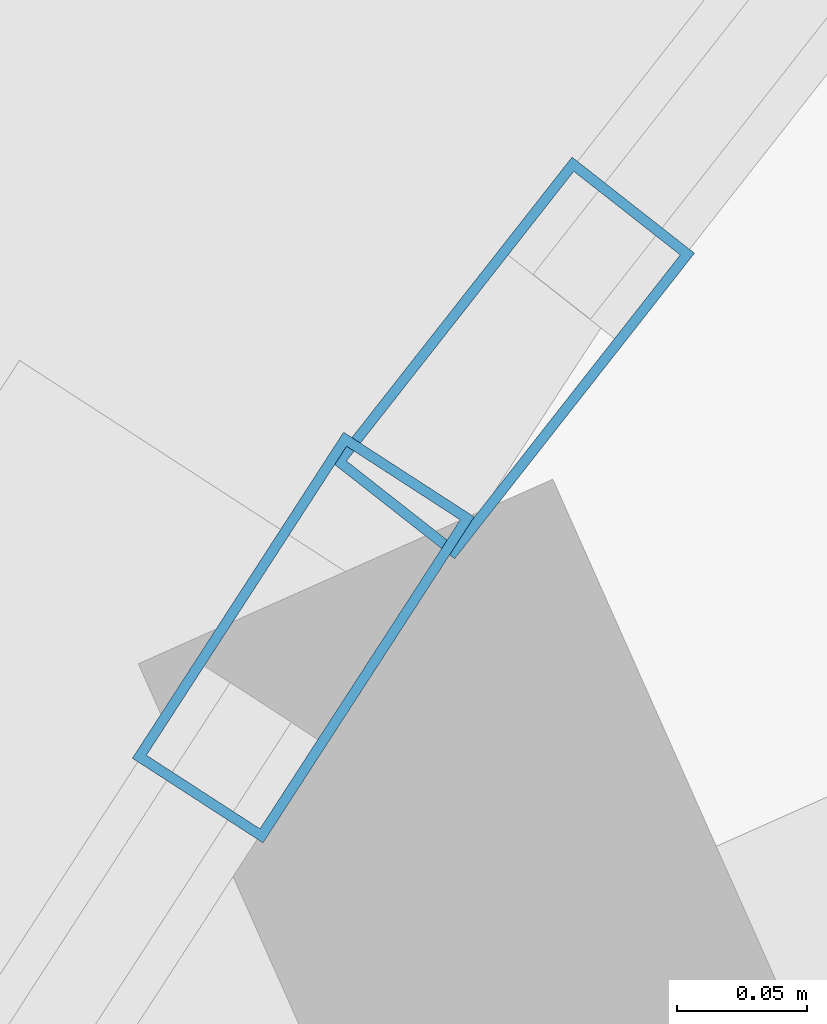
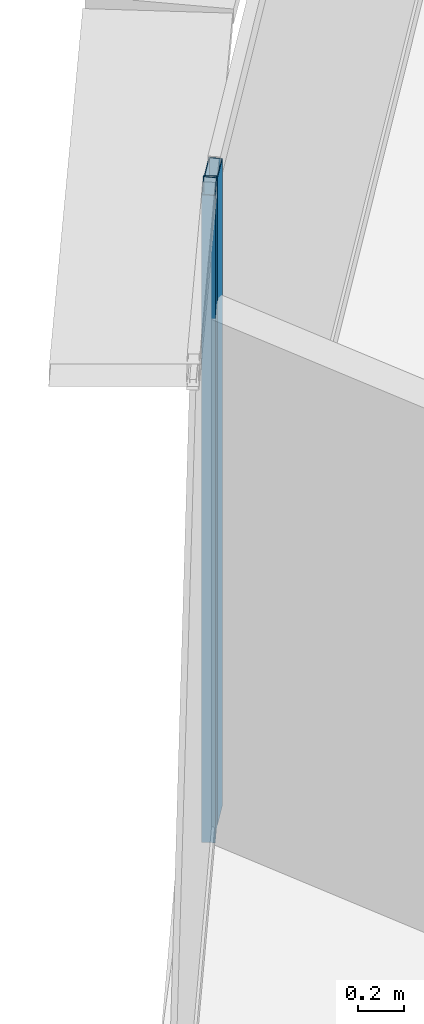
# One storey, part 18 of 42: 2 members, 2 elements without a shape of their own.
"""IFC4 building model written with IfcOpenShell, lengths in metres."""

from ifc_helpers import new_model, si_unit, direction, frame, origin, origin_2d, place, context, subcontext, project, spatial, hollow_rectangle, extrude, source, transform, mapped, material, layer, layer_set, material_profile, profile_set, type_object, element, aggregate, save


model = new_model("IFC4")

# Units and contexts
model_context = context("Model", 3, precision=1e-05, world=origin(), true_north=direction((0.0, 1.0)))
body_context = subcontext(model_context, "Body", "Model", "MODEL_VIEW")
ifc_project = project(units=[si_unit("LENGTHUNIT", "METRE"), si_unit("AREAUNIT", "SQUARE_METRE"), si_unit("VOLUMEUNIT", "CUBIC_METRE"), si_unit("PLANEANGLEUNIT", "RADIAN"), si_unit("MASSUNIT", "GRAM", prefix="KILO"), si_unit("THERMODYNAMICTEMPERATUREUNIT", "KELVIN"), si_unit("POWERUNIT", "WATT")], contexts=[model_context])

# Site, building, storey
site_placement = place(None, origin())
site = spatial("IfcSite", under=ifc_project, at=site_placement, CompositionType="ELEMENT")
building_placement = place(site_placement, origin())
building = spatial("IfcBuilding", under=site, at=building_placement, Name="Yunzhuo Pagoda Commons", CompositionType="ELEMENT")
storey_placement = place(building_placement, frame((0.0, 0.0, 133.510009765625)))
storey = spatial("IfcBuildingStorey", under=building, at=storey_placement, Name="L33", CompositionType="ELEMENT", Elevation=133.510009765625)

# Curtain wall, member
ifc_material = material(Name="Anodized aluminium 6063-T6", Category="aluminium")
ifc_layer = layer(ifc_material, 0.14990234375)
ifc_layer_set = layer_set([ifc_layer], Name="Anodized aluminium 6063-T6")
curtain_wall_type = type_object("IfcCurtainWallType", Name="CW-MID Mid-Zone Ribbon Curtain Wall", PredefinedType="NOTDEFINED", material=ifc_layer_set)
curtain_wall_1_placement = place(storey_placement, origin())
curtain_wall_1 = element("IfcCurtainWall", 1, at=curtain_wall_1_placement, inside=storey, type_object=curtain_wall_type, Name="L33 curtain wall CW-L33-F3B2", PredefinedType="NOTDEFINED")
ifc_material_profile = material_profile(ifc_material, hollow_rectangle(XDim=0.06005859375, YDim=0.14990234375, WallThickness=0.00390625, at=origin_2d()), Name="Anodized aluminium 6063-T6")
ifc_profile_set = profile_set([ifc_material_profile], Name="Anodized aluminium 6063-T6")
member_type = type_object("IfcMemberType", Name="CW-MID-M Mullion RHS 150x60x4", PredefinedType="MULLION", material=ifc_profile_set)
shared_shape = source(origin(), body_context, "Body", "SweptSolid", [
    extrude(hollow_rectangle(XDim=0.06005859375, YDim=0.14990234375, WallThickness=0.00390625, at=origin_2d()), origin(), (0.0, 0.0, 1.0), 3.419921875),
])
member_1_placement = place(storey_placement, frame((31.7490234375, 70.138427734375, 0.0), z_axis=(0.0, 0.0, 1.0), x_axis=(0.839249165596, -0.543747034977, 0.0)))
member_1 = element("IfcMember", 2, at=member_1_placement, type_object=member_type, Name="CW mullion 1", PredefinedType="MULLION", context=body_context, shape_type="MappedRepresentation", body=[
    mapped(shared_shape, transform((0.0, 0.0, 0.0), scale=1.0)),
])
aggregate(curtain_wall_1, [member_1])

curtain_wall_2_placement = place(storey_placement, origin())
curtain_wall_2 = element("IfcCurtainWall", 3, at=curtain_wall_2_placement, inside=storey, type_object=curtain_wall_type, Name="L33 curtain wall CW-L33-F3B1", PredefinedType="NOTDEFINED")
member_2_placement = place(storey_placement, frame((31.830078125, 70.246337890625, 0.0), z_axis=(0.0, 0.0, 1.0), x_axis=(0.786571576347, -0.617499113588, 0.0)))
member_2 = element("IfcMember", 4, at=member_2_placement, type_object=member_type, Name="CW mullion 2", PredefinedType="MULLION", context=body_context, shape_type="MappedRepresentation", body=[
    mapped(shared_shape, transform((0.0, 0.0, 0.0), scale=1.0)),
])
aggregate(curtain_wall_2, [member_2])

save(model, "model.ifc")
